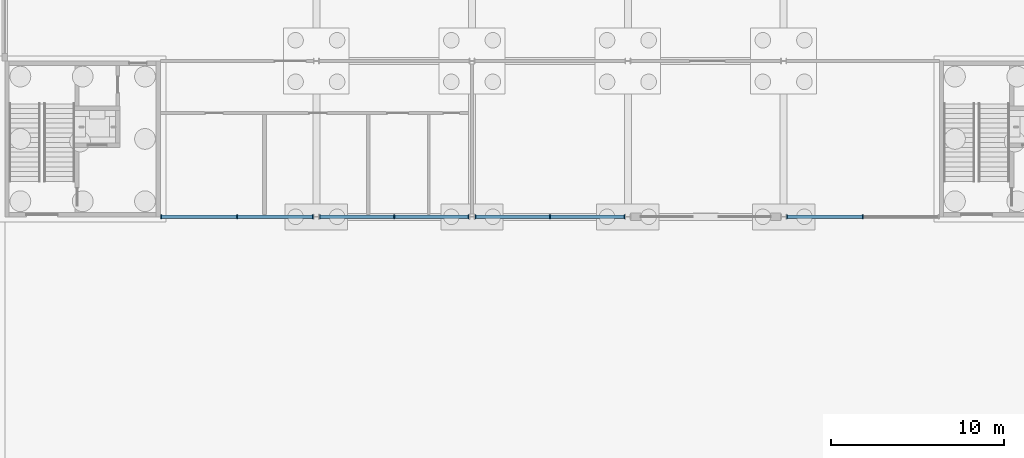
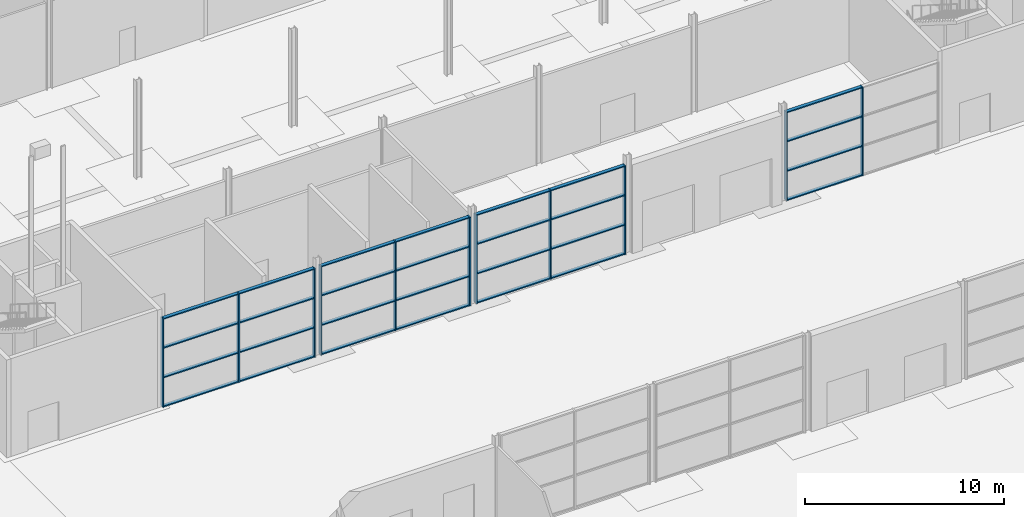
# One storey, part 33 of 97: 39 members, 4 elements without a shape of their own.
"""IFC4 building model written with IfcOpenShell, lengths in metres."""

from ifc_helpers import new_model, si_unit, direction, frame, origin, origin_2d, place, context, subcontext, project, spatial, rectangle, extrude, material, layer, layer_set, material_profile, profile_set, type_object, element, aggregate, save


model = new_model("IFC4")

# Units and contexts
model_context = context("Model", 3, precision=1e-05, world=origin(), true_north=direction((0.0, 1.0)))
body_context = subcontext(model_context, "Body", "Model", "MODEL_VIEW")
ifc_project = project(units=[si_unit("LENGTHUNIT", "METRE"), si_unit("AREAUNIT", "SQUARE_METRE"), si_unit("VOLUMEUNIT", "CUBIC_METRE"), si_unit("PLANEANGLEUNIT", "RADIAN"), si_unit("MASSUNIT", "GRAM", prefix="KILO")], contexts=[model_context])

# Site, building, storey
site_placement = place(None, origin())
site = spatial("IfcSite", under=ifc_project, at=site_placement, CompositionType="ELEMENT")
building_placement = place(site_placement, origin())
building = spatial("IfcBuilding", under=site, at=building_placement, Name="Corbel Yard City Hall", CompositionType="ELEMENT")
storey_placement = place(building_placement, origin())
storey = spatial("IfcBuildingStorey", under=building, at=storey_placement, Name="L00", CompositionType="ELEMENT", Elevation=0.0)

# Curtain wall, members
ifc_material = material(Name="Aluminium extrusion", Category="aluminium")
ifc_layer = layer(ifc_material, 0.25)
ifc_layer_set = layer_set([ifc_layer], Name="Aluminium extrusion")
curtain_wall_type = type_object("IfcCurtainWallType", Name="CW4", PredefinedType="USERDEFINED", material=ifc_layer_set)
curtain_wall_1_placement = place(storey_placement, origin())
curtain_wall_1 = element("IfcCurtainWall", 1, at=curtain_wall_1_placement, inside=storey, type_object=curtain_wall_type, Name="Curtain wall CW4 L00", ObjectType="CURTAIN WALL", PredefinedType="USERDEFINED")
ifc_material_profile_1 = material_profile(ifc_material, rectangle(XDim=0.25, YDim=0.06494140625, at=origin_2d()), Name="250x65")
ifc_profile_set_1 = profile_set([ifc_material_profile_1], Name="Aluminium extrusion")
member_type_1 = type_object("IfcMemberType", Name="ML4", PredefinedType="MULLION", material=ifc_profile_set_1)
member_1_placement = place(storey_placement, frame((9.032470703125, 45.0, 0.0), z_axis=(0.0, 0.0, 1.0), x_axis=(0.0, 1.0, 0.0)))
member_1 = element("IfcMember", 2, at=member_1_placement, type_object=member_type_1, Name="CW4 mullion 1", PredefinedType="MULLION", context=body_context, shape_type="SweptSolid", body=[
    extrude(rectangle(XDim=0.25, YDim=0.06494140625, at=origin_2d()), origin(), (0.0, 0.0, 1.0), 5.444091796875),
])
member_2_placement = place(storey_placement, frame((13.421142578125, 45.0, 0.0), z_axis=(0.0, 0.0, 1.0), x_axis=(0.0, 1.0, 0.0)))
member_2 = element("IfcMember", 3, at=member_2_placement, type_object=member_type_1, Name="CW4 mullion 2", PredefinedType="MULLION", context=body_context, shape_type="SweptSolid", body=[
    extrude(rectangle(XDim=0.25, YDim=0.06494140625, at=origin_2d()), origin(), (0.0, 0.0, 1.0), 5.444091796875),
])
member_3_placement = place(storey_placement, frame((17.81005859375, 45.0, 0.0), z_axis=(0.0, 0.0, 1.0), x_axis=(0.0, 1.0, 0.0)))
member_3 = element("IfcMember", 4, at=member_3_placement, type_object=member_type_1, Name="CW4 mullion 3", PredefinedType="MULLION", context=body_context, shape_type="SweptSolid", body=[
    extrude(rectangle(XDim=0.25, YDim=0.06494140625, at=origin_2d()), origin(), (0.0, 0.0, 1.0), 5.444091796875),
])

curtain_wall_2_placement = place(storey_placement, origin())
curtain_wall_2 = element("IfcCurtainWall", 5, at=curtain_wall_2_placement, inside=storey, type_object=curtain_wall_type, Name="Curtain wall CW4 L00", ObjectType="CURTAIN WALL", PredefinedType="USERDEFINED")
member_4_placement = place(storey_placement, frame((18.18994140625, 45.0, 0.0), z_axis=(0.0, 0.0, 1.0), x_axis=(0.0, 1.0, 0.0)))
member_4 = element("IfcMember", 6, at=member_4_placement, type_object=member_type_1, Name="CW4 mullion 1", PredefinedType="MULLION", context=body_context, shape_type="SweptSolid", body=[
    extrude(rectangle(XDim=0.25, YDim=0.06494140625, at=origin_2d()), origin(), (0.0, 0.0, 1.0), 5.444091796875),
])
member_5_placement = place(storey_placement, frame((22.5, 45.0, 0.0), z_axis=(0.0, 0.0, 1.0), x_axis=(0.0, 1.0, 0.0)))
member_5 = element("IfcMember", 7, at=member_5_placement, type_object=member_type_1, Name="CW4 mullion 2", PredefinedType="MULLION", context=body_context, shape_type="SweptSolid", body=[
    extrude(rectangle(XDim=0.25, YDim=0.06494140625, at=origin_2d()), origin(), (0.0, 0.0, 1.0), 5.444091796875),
])
member_6_placement = place(storey_placement, frame((26.81005859375, 45.0, 0.0), z_axis=(0.0, 0.0, 1.0), x_axis=(0.0, 1.0, 0.0)))
member_6 = element("IfcMember", 8, at=member_6_placement, type_object=member_type_1, Name="CW4 mullion 3", PredefinedType="MULLION", context=body_context, shape_type="SweptSolid", body=[
    extrude(rectangle(XDim=0.25, YDim=0.06494140625, at=origin_2d()), origin(), (0.0, 0.0, 1.0), 5.444091796875),
])

curtain_wall_3_placement = place(storey_placement, origin())
curtain_wall_3 = element("IfcCurtainWall", 9, at=curtain_wall_3_placement, inside=storey, type_object=curtain_wall_type, Name="Curtain wall CW4 L00", ObjectType="CURTAIN WALL", PredefinedType="USERDEFINED")
member_7_placement = place(storey_placement, frame((27.18994140625, 45.0, 0.0), z_axis=(0.0, 0.0, 1.0), x_axis=(0.0, 1.0, 0.0)))
member_7 = element("IfcMember", 10, at=member_7_placement, type_object=member_type_1, Name="CW4 mullion 1", PredefinedType="MULLION", context=body_context, shape_type="SweptSolid", body=[
    extrude(rectangle(XDim=0.25, YDim=0.06494140625, at=origin_2d()), origin(), (0.0, 0.0, 1.0), 5.444091796875),
])
member_8_placement = place(storey_placement, frame((31.5, 45.0, 0.0), z_axis=(0.0, 0.0, 1.0), x_axis=(0.0, 1.0, 0.0)))
member_8 = element("IfcMember", 11, at=member_8_placement, type_object=member_type_1, Name="CW4 mullion 2", PredefinedType="MULLION", context=body_context, shape_type="SweptSolid", body=[
    extrude(rectangle(XDim=0.25, YDim=0.06494140625, at=origin_2d()), origin(), (0.0, 0.0, 1.0), 5.444091796875),
])
member_9_placement = place(storey_placement, frame((35.81005859375, 45.0, 0.0), z_axis=(0.0, 0.0, 1.0), x_axis=(0.0, 1.0, 0.0)))
member_9 = element("IfcMember", 12, at=member_9_placement, type_object=member_type_1, Name="CW4 mullion 3", PredefinedType="MULLION", context=body_context, shape_type="SweptSolid", body=[
    extrude(rectangle(XDim=0.25, YDim=0.06494140625, at=origin_2d()), origin(), (0.0, 0.0, 1.0), 5.444091796875),
])

curtain_wall_4_placement = place(storey_placement, origin())
curtain_wall_4 = element("IfcCurtainWall", 13, at=curtain_wall_4_placement, inside=storey, type_object=curtain_wall_type, Name="Curtain wall CW4 L00", ObjectType="CURTAIN WALL", PredefinedType="USERDEFINED")
member_10_placement = place(storey_placement, frame((45.18994140625, 45.0, 0.0), z_axis=(0.0, 0.0, 1.0), x_axis=(0.0, 1.0, 0.0)))
member_10 = element("IfcMember", 14, at=member_10_placement, type_object=member_type_1, Name="CW4 mullion 1", PredefinedType="MULLION", context=body_context, shape_type="SweptSolid", body=[
    extrude(rectangle(XDim=0.25, YDim=0.06494140625, at=origin_2d()), origin(), (0.0, 0.0, 1.0), 5.444091796875),
])
member_11_placement = place(storey_placement, frame((49.578857421875, 45.0, 0.0), z_axis=(0.0, 0.0, 1.0), x_axis=(0.0, 1.0, 0.0)))
member_11 = element("IfcMember", 15, at=member_11_placement, type_object=member_type_1, Name="CW4 mullion 2", PredefinedType="MULLION", context=body_context, shape_type="SweptSolid", body=[
    extrude(rectangle(XDim=0.25, YDim=0.06494140625, at=origin_2d()), origin(), (0.0, 0.0, 1.0), 5.444091796875),
])

# Member
ifc_material_profile_2 = material_profile(ifc_material, rectangle(XDim=0.199951171875, YDim=0.06494140625, at=origin_2d()), Name="200x65")
ifc_profile_set_2 = profile_set([ifc_material_profile_2], Name="Aluminium extrusion")
member_type_2 = type_object("IfcMemberType", Name="TR4", PredefinedType="USERDEFINED", material=ifc_profile_set_2)
member_12_placement = place(storey_placement, frame((9.06494140625, 45.0, 0.032470703125), z_axis=(1.0, 0.0, 0.0), x_axis=(0.0, 1.0, 0.0)))
member_12 = element("IfcMember", 16, at=member_12_placement, type_object=member_type_2, Name="CW4 transom 1.1", ObjectType="TRANSOM", PredefinedType="USERDEFINED", context=body_context, shape_type="SweptSolid", body=[
    extrude(rectangle(XDim=0.199951171875, YDim=0.06494140625, at=origin_2d()), origin(), (0.0, 0.0, 1.0), 4.32373046875),
])

member_13_placement = place(storey_placement, frame((9.06494140625, 45.0, 1.814697265625), z_axis=(1.0, 0.0, 0.0), x_axis=(0.0, 1.0, 0.0)))
member_13 = element("IfcMember", 17, at=member_13_placement, type_object=member_type_2, Name="CW4 transom 1.2", ObjectType="TRANSOM", PredefinedType="USERDEFINED", context=body_context, shape_type="SweptSolid", body=[
    extrude(rectangle(XDim=0.199951171875, YDim=0.06494140625, at=origin_2d()), origin(), (0.0, 0.0, 1.0), 4.32373046875),
])

member_14_placement = place(storey_placement, frame((9.06494140625, 45.0, 3.62939453125), z_axis=(1.0, 0.0, 0.0), x_axis=(0.0, 1.0, 0.0)))
member_14 = element("IfcMember", 18, at=member_14_placement, type_object=member_type_2, Name="CW4 transom 1.3", ObjectType="TRANSOM", PredefinedType="USERDEFINED", context=body_context, shape_type="SweptSolid", body=[
    extrude(rectangle(XDim=0.199951171875, YDim=0.06494140625, at=origin_2d()), origin(), (0.0, 0.0, 1.0), 4.32373046875),
])

member_15_placement = place(storey_placement, frame((9.06494140625, 45.0, 5.41162109375), z_axis=(1.0, 0.0, 0.0), x_axis=(0.0, 1.0, 0.0)))
member_15 = element("IfcMember", 19, at=member_15_placement, type_object=member_type_2, Name="CW4 transom 1.4", ObjectType="TRANSOM", PredefinedType="USERDEFINED", context=body_context, shape_type="SweptSolid", body=[
    extrude(rectangle(XDim=0.199951171875, YDim=0.06494140625, at=origin_2d()), origin(), (0.0, 0.0, 1.0), 4.32373046875),
])

member_16_placement = place(storey_placement, frame((13.453857421875, 45.0, 0.032470703125), z_axis=(1.0, 0.0, 0.0), x_axis=(0.0, 1.0, 0.0)))
member_16 = element("IfcMember", 20, at=member_16_placement, type_object=member_type_2, Name="CW4 transom 2.1", ObjectType="TRANSOM", PredefinedType="USERDEFINED", context=body_context, shape_type="SweptSolid", body=[
    extrude(rectangle(XDim=0.199951171875, YDim=0.06494140625, at=origin_2d()), origin(), (0.0, 0.0, 1.0), 4.32373046875),
])

member_17_placement = place(storey_placement, frame((13.453857421875, 45.0, 1.814697265625), z_axis=(1.0, 0.0, 0.0), x_axis=(0.0, 1.0, 0.0)))
member_17 = element("IfcMember", 21, at=member_17_placement, type_object=member_type_2, Name="CW4 transom 2.2", ObjectType="TRANSOM", PredefinedType="USERDEFINED", context=body_context, shape_type="SweptSolid", body=[
    extrude(rectangle(XDim=0.199951171875, YDim=0.06494140625, at=origin_2d()), origin(), (0.0, 0.0, 1.0), 4.32373046875),
])

member_18_placement = place(storey_placement, frame((13.453857421875, 45.0, 3.62939453125), z_axis=(1.0, 0.0, 0.0), x_axis=(0.0, 1.0, 0.0)))
member_18 = element("IfcMember", 22, at=member_18_placement, type_object=member_type_2, Name="CW4 transom 2.3", ObjectType="TRANSOM", PredefinedType="USERDEFINED", context=body_context, shape_type="SweptSolid", body=[
    extrude(rectangle(XDim=0.199951171875, YDim=0.06494140625, at=origin_2d()), origin(), (0.0, 0.0, 1.0), 4.32373046875),
])

member_19_placement = place(storey_placement, frame((13.453857421875, 45.0, 5.41162109375), z_axis=(1.0, 0.0, 0.0), x_axis=(0.0, 1.0, 0.0)))
member_19 = element("IfcMember", 23, at=member_19_placement, type_object=member_type_2, Name="CW4 transom 2.4", ObjectType="TRANSOM", PredefinedType="USERDEFINED", context=body_context, shape_type="SweptSolid", body=[
    extrude(rectangle(XDim=0.199951171875, YDim=0.06494140625, at=origin_2d()), origin(), (0.0, 0.0, 1.0), 4.32373046875),
])

aggregate(curtain_wall_1, [member_1, member_2, member_3, member_12, member_13, member_14, member_15, member_16, member_17, member_18, member_19])

member_20_placement = place(storey_placement, frame((18.222412109375, 45.0, 0.032470703125), z_axis=(1.0, 0.0, 0.0), x_axis=(0.0, 1.0, 0.0)))
member_20 = element("IfcMember", 24, at=member_20_placement, type_object=member_type_2, Name="CW4 transom 1.1", ObjectType="TRANSOM", PredefinedType="USERDEFINED", context=body_context, shape_type="SweptSolid", body=[
    extrude(rectangle(XDim=0.199951171875, YDim=0.06494140625, at=origin_2d()), origin(), (0.0, 0.0, 1.0), 4.2451171875),
])

member_21_placement = place(storey_placement, frame((18.222412109375, 45.0, 1.814697265625), z_axis=(1.0, 0.0, 0.0), x_axis=(0.0, 1.0, 0.0)))
member_21 = element("IfcMember", 25, at=member_21_placement, type_object=member_type_2, Name="CW4 transom 1.2", ObjectType="TRANSOM", PredefinedType="USERDEFINED", context=body_context, shape_type="SweptSolid", body=[
    extrude(rectangle(XDim=0.199951171875, YDim=0.06494140625, at=origin_2d()), origin(), (0.0, 0.0, 1.0), 4.2451171875),
])

member_22_placement = place(storey_placement, frame((18.222412109375, 45.0, 3.62939453125), z_axis=(1.0, 0.0, 0.0), x_axis=(0.0, 1.0, 0.0)))
member_22 = element("IfcMember", 26, at=member_22_placement, type_object=member_type_2, Name="CW4 transom 1.3", ObjectType="TRANSOM", PredefinedType="USERDEFINED", context=body_context, shape_type="SweptSolid", body=[
    extrude(rectangle(XDim=0.199951171875, YDim=0.06494140625, at=origin_2d()), origin(), (0.0, 0.0, 1.0), 4.2451171875),
])

member_23_placement = place(storey_placement, frame((18.222412109375, 45.0, 5.41162109375), z_axis=(1.0, 0.0, 0.0), x_axis=(0.0, 1.0, 0.0)))
member_23 = element("IfcMember", 27, at=member_23_placement, type_object=member_type_2, Name="CW4 transom 1.4", ObjectType="TRANSOM", PredefinedType="USERDEFINED", context=body_context, shape_type="SweptSolid", body=[
    extrude(rectangle(XDim=0.199951171875, YDim=0.06494140625, at=origin_2d()), origin(), (0.0, 0.0, 1.0), 4.2451171875),
])

member_24_placement = place(storey_placement, frame((22.532470703125, 45.0, 0.032470703125), z_axis=(1.0, 0.0, 0.0), x_axis=(0.0, 1.0, 0.0)))
member_24 = element("IfcMember", 28, at=member_24_placement, type_object=member_type_2, Name="CW4 transom 2.1", ObjectType="TRANSOM", PredefinedType="USERDEFINED", context=body_context, shape_type="SweptSolid", body=[
    extrude(rectangle(XDim=0.199951171875, YDim=0.06494140625, at=origin_2d()), origin(), (0.0, 0.0, 1.0), 4.2451171875),
])

member_25_placement = place(storey_placement, frame((22.532470703125, 45.0, 1.814697265625), z_axis=(1.0, 0.0, 0.0), x_axis=(0.0, 1.0, 0.0)))
member_25 = element("IfcMember", 29, at=member_25_placement, type_object=member_type_2, Name="CW4 transom 2.2", ObjectType="TRANSOM", PredefinedType="USERDEFINED", context=body_context, shape_type="SweptSolid", body=[
    extrude(rectangle(XDim=0.199951171875, YDim=0.06494140625, at=origin_2d()), origin(), (0.0, 0.0, 1.0), 4.2451171875),
])

member_26_placement = place(storey_placement, frame((22.532470703125, 45.0, 3.62939453125), z_axis=(1.0, 0.0, 0.0), x_axis=(0.0, 1.0, 0.0)))
member_26 = element("IfcMember", 30, at=member_26_placement, type_object=member_type_2, Name="CW4 transom 2.3", ObjectType="TRANSOM", PredefinedType="USERDEFINED", context=body_context, shape_type="SweptSolid", body=[
    extrude(rectangle(XDim=0.199951171875, YDim=0.06494140625, at=origin_2d()), origin(), (0.0, 0.0, 1.0), 4.2451171875),
])

member_27_placement = place(storey_placement, frame((22.532470703125, 45.0, 5.41162109375), z_axis=(1.0, 0.0, 0.0), x_axis=(0.0, 1.0, 0.0)))
member_27 = element("IfcMember", 31, at=member_27_placement, type_object=member_type_2, Name="CW4 transom 2.4", ObjectType="TRANSOM", PredefinedType="USERDEFINED", context=body_context, shape_type="SweptSolid", body=[
    extrude(rectangle(XDim=0.199951171875, YDim=0.06494140625, at=origin_2d()), origin(), (0.0, 0.0, 1.0), 4.2451171875),
])

aggregate(curtain_wall_2, [member_4, member_5, member_6, member_20, member_21, member_22, member_23, member_24, member_25, member_26, member_27])

member_28_placement = place(storey_placement, frame((27.222412109375, 45.0, 0.032470703125), z_axis=(1.0, 0.0, 0.0), x_axis=(0.0, 1.0, 0.0)))
member_28 = element("IfcMember", 32, at=member_28_placement, type_object=member_type_2, Name="CW4 transom 1.1", ObjectType="TRANSOM", PredefinedType="USERDEFINED", context=body_context, shape_type="SweptSolid", body=[
    extrude(rectangle(XDim=0.199951171875, YDim=0.06494140625, at=origin_2d()), origin(), (0.0, 0.0, 1.0), 4.2451171875),
])

member_29_placement = place(storey_placement, frame((27.222412109375, 45.0, 1.814697265625), z_axis=(1.0, 0.0, 0.0), x_axis=(0.0, 1.0, 0.0)))
member_29 = element("IfcMember", 33, at=member_29_placement, type_object=member_type_2, Name="CW4 transom 1.2", ObjectType="TRANSOM", PredefinedType="USERDEFINED", context=body_context, shape_type="SweptSolid", body=[
    extrude(rectangle(XDim=0.199951171875, YDim=0.06494140625, at=origin_2d()), origin(), (0.0, 0.0, 1.0), 4.2451171875),
])

member_30_placement = place(storey_placement, frame((27.222412109375, 45.0, 3.62939453125), z_axis=(1.0, 0.0, 0.0), x_axis=(0.0, 1.0, 0.0)))
member_30 = element("IfcMember", 34, at=member_30_placement, type_object=member_type_2, Name="CW4 transom 1.3", ObjectType="TRANSOM", PredefinedType="USERDEFINED", context=body_context, shape_type="SweptSolid", body=[
    extrude(rectangle(XDim=0.199951171875, YDim=0.06494140625, at=origin_2d()), origin(), (0.0, 0.0, 1.0), 4.2451171875),
])

member_31_placement = place(storey_placement, frame((27.222412109375, 45.0, 5.41162109375), z_axis=(1.0, 0.0, 0.0), x_axis=(0.0, 1.0, 0.0)))
member_31 = element("IfcMember", 35, at=member_31_placement, type_object=member_type_2, Name="CW4 transom 1.4", ObjectType="TRANSOM", PredefinedType="USERDEFINED", context=body_context, shape_type="SweptSolid", body=[
    extrude(rectangle(XDim=0.199951171875, YDim=0.06494140625, at=origin_2d()), origin(), (0.0, 0.0, 1.0), 4.2451171875),
])

member_32_placement = place(storey_placement, frame((31.532470703125, 45.0, 0.032470703125), z_axis=(1.0, 0.0, 0.0), x_axis=(0.0, 1.0, 0.0)))
member_32 = element("IfcMember", 36, at=member_32_placement, type_object=member_type_2, Name="CW4 transom 2.1", ObjectType="TRANSOM", PredefinedType="USERDEFINED", context=body_context, shape_type="SweptSolid", body=[
    extrude(rectangle(XDim=0.199951171875, YDim=0.06494140625, at=origin_2d()), origin(), (0.0, 0.0, 1.0), 4.2451171875),
])

member_33_placement = place(storey_placement, frame((31.532470703125, 45.0, 1.814697265625), z_axis=(1.0, 0.0, 0.0), x_axis=(0.0, 1.0, 0.0)))
member_33 = element("IfcMember", 37, at=member_33_placement, type_object=member_type_2, Name="CW4 transom 2.2", ObjectType="TRANSOM", PredefinedType="USERDEFINED", context=body_context, shape_type="SweptSolid", body=[
    extrude(rectangle(XDim=0.199951171875, YDim=0.06494140625, at=origin_2d()), origin(), (0.0, 0.0, 1.0), 4.2451171875),
])

member_34_placement = place(storey_placement, frame((31.532470703125, 45.0, 3.62939453125), z_axis=(1.0, 0.0, 0.0), x_axis=(0.0, 1.0, 0.0)))
member_34 = element("IfcMember", 38, at=member_34_placement, type_object=member_type_2, Name="CW4 transom 2.3", ObjectType="TRANSOM", PredefinedType="USERDEFINED", context=body_context, shape_type="SweptSolid", body=[
    extrude(rectangle(XDim=0.199951171875, YDim=0.06494140625, at=origin_2d()), origin(), (0.0, 0.0, 1.0), 4.2451171875),
])

member_35_placement = place(storey_placement, frame((31.532470703125, 45.0, 5.41162109375), z_axis=(1.0, 0.0, 0.0), x_axis=(0.0, 1.0, 0.0)))
member_35 = element("IfcMember", 39, at=member_35_placement, type_object=member_type_2, Name="CW4 transom 2.4", ObjectType="TRANSOM", PredefinedType="USERDEFINED", context=body_context, shape_type="SweptSolid", body=[
    extrude(rectangle(XDim=0.199951171875, YDim=0.06494140625, at=origin_2d()), origin(), (0.0, 0.0, 1.0), 4.2451171875),
])

aggregate(curtain_wall_3, [member_7, member_8, member_9, member_28, member_29, member_30, member_31, member_32, member_33, member_34, member_35])

member_36_placement = place(storey_placement, frame((45.222412109375, 45.0, 0.032470703125), z_axis=(1.0, 0.0, 0.0), x_axis=(0.0, 1.0, 0.0)))
member_36 = element("IfcMember", 40, at=member_36_placement, type_object=member_type_2, Name="CW4 transom 1.1", ObjectType="TRANSOM", PredefinedType="USERDEFINED", context=body_context, shape_type="SweptSolid", body=[
    extrude(rectangle(XDim=0.199951171875, YDim=0.06494140625, at=origin_2d()), origin(), (0.0, 0.0, 1.0), 4.32373046875),
])

member_37_placement = place(storey_placement, frame((45.222412109375, 45.0, 1.814697265625), z_axis=(1.0, 0.0, 0.0), x_axis=(0.0, 1.0, 0.0)))
member_37 = element("IfcMember", 41, at=member_37_placement, type_object=member_type_2, Name="CW4 transom 1.2", ObjectType="TRANSOM", PredefinedType="USERDEFINED", context=body_context, shape_type="SweptSolid", body=[
    extrude(rectangle(XDim=0.199951171875, YDim=0.06494140625, at=origin_2d()), origin(), (0.0, 0.0, 1.0), 4.32373046875),
])

member_38_placement = place(storey_placement, frame((45.222412109375, 45.0, 3.62939453125), z_axis=(1.0, 0.0, 0.0), x_axis=(0.0, 1.0, 0.0)))
member_38 = element("IfcMember", 42, at=member_38_placement, type_object=member_type_2, Name="CW4 transom 1.3", ObjectType="TRANSOM", PredefinedType="USERDEFINED", context=body_context, shape_type="SweptSolid", body=[
    extrude(rectangle(XDim=0.199951171875, YDim=0.06494140625, at=origin_2d()), origin(), (0.0, 0.0, 1.0), 4.32373046875),
])

member_39_placement = place(storey_placement, frame((45.222412109375, 45.0, 5.41162109375), z_axis=(1.0, 0.0, 0.0), x_axis=(0.0, 1.0, 0.0)))
member_39 = element("IfcMember", 43, at=member_39_placement, type_object=member_type_2, Name="CW4 transom 1.4", ObjectType="TRANSOM", PredefinedType="USERDEFINED", context=body_context, shape_type="SweptSolid", body=[
    extrude(rectangle(XDim=0.199951171875, YDim=0.06494140625, at=origin_2d()), origin(), (0.0, 0.0, 1.0), 4.32373046875),
])

aggregate(curtain_wall_4, [member_10, member_11, member_36, member_37, member_38, member_39])

save(model, "model.ifc")
